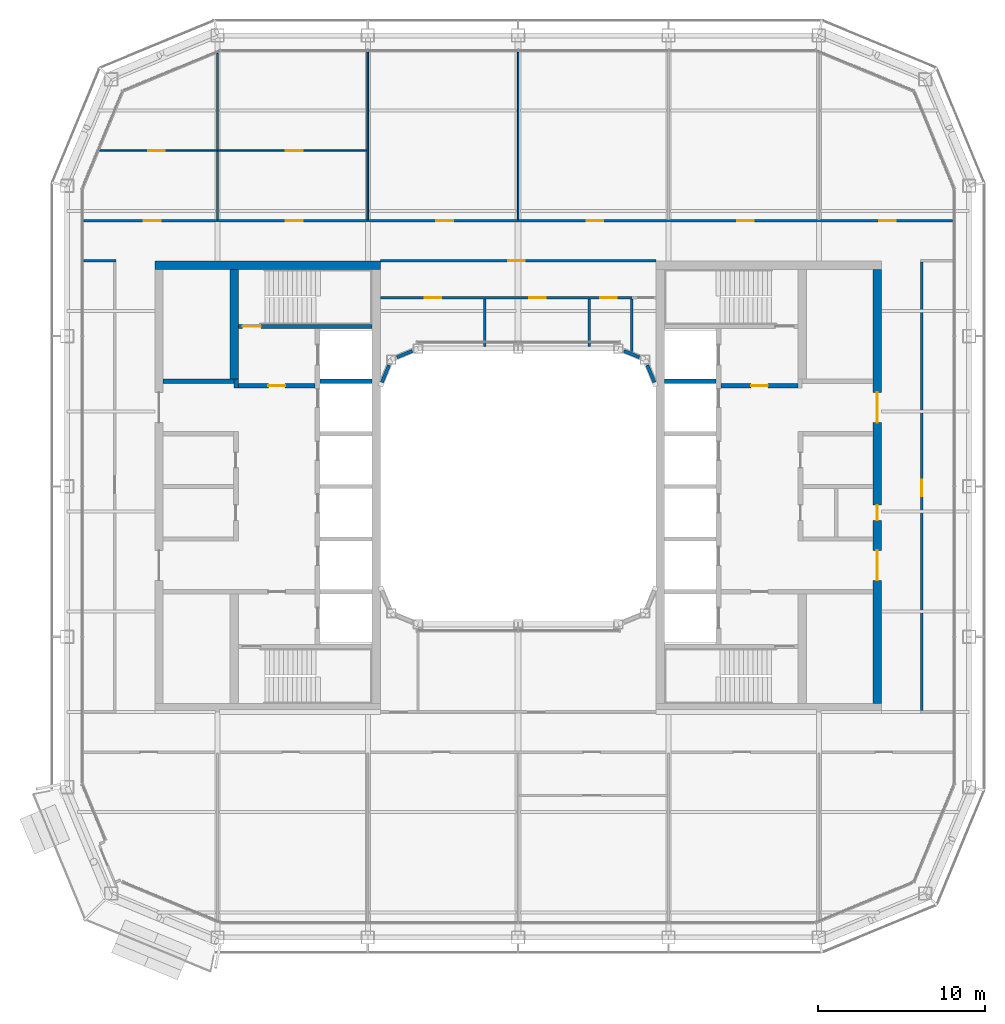
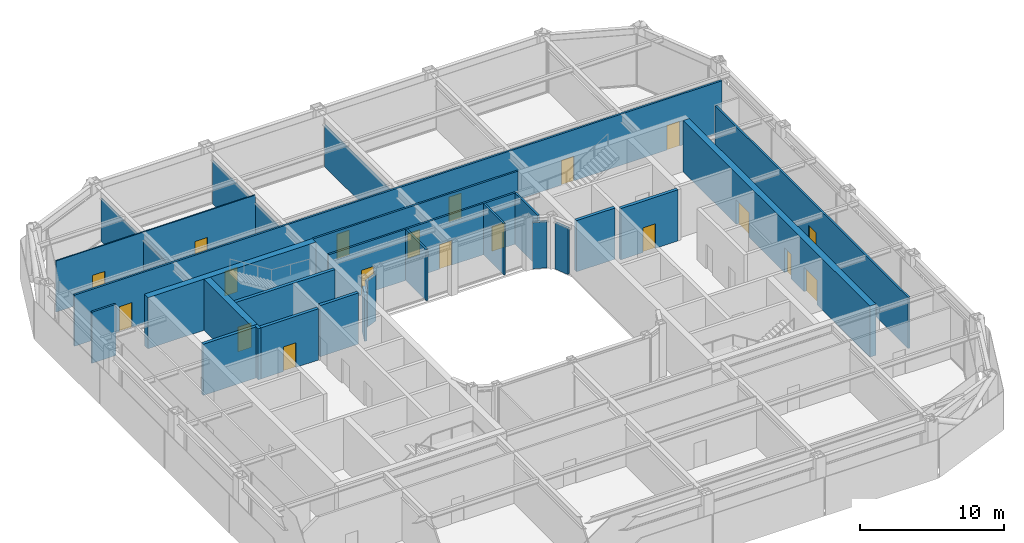
# One storey, part 15 of 23: 27 walls, 19 doors, 19 openings.
"""IFC4 building model written with IfcOpenShell, lengths in metres."""

from ifc_helpers import new_model, si_unit, direction, frame, frame_2d, origin, place, context, subcontext, project, spatial, rectangle, extrude, material, layer, layer_set, type_object, element, fill, save


model = new_model("IFC4")

# Units and contexts
model_context = context("Model", 3, precision=1e-05, world=origin(), true_north=direction((0.0, 1.0)))
body_context = subcontext(model_context, "Body", "Model", "MODEL_VIEW")
ifc_project = project(units=[si_unit("LENGTHUNIT", "METRE"), si_unit("AREAUNIT", "SQUARE_METRE"), si_unit("VOLUMEUNIT", "CUBIC_METRE"), si_unit("PLANEANGLEUNIT", "RADIAN"), si_unit("MASSUNIT", "GRAM", prefix="KILO")], contexts=[model_context])

# Site, building, storey
site_placement = place(None, origin())
site = spatial("IfcSite", under=ifc_project, at=site_placement, CompositionType="ELEMENT")
building_placement = place(site_placement, origin())
building = spatial("IfcBuilding", under=site, at=building_placement, Name="Siwar Civic Tower", CompositionType="ELEMENT")
storey_placement = place(building_placement, frame((0.0, 0.0, 251.199951171875)))
storey = spatial("IfcBuildingStorey", under=building, at=storey_placement, Name="L54", CompositionType="ELEMENT", Elevation=251.199951171875)

# Wall
ifc_material_1 = material(Name="Gypsum board on steel studs", Category="steel")
ifc_layer_1 = layer(ifc_material_1, 0.14990234375)
ifc_layer_set_1 = layer_set([ifc_layer_1], Name="Gypsum board on steel studs")
wall_type_1 = type_object("IfcWallType", Name="COMPARTMENT PARTITION 150 EI 60", PredefinedType="PARTITIONING", material=ifc_layer_set_1)
wall_1_placement = place(storey_placement, frame((6.800048828125, 8.069091796875, 0.0), z_axis=(0.0, 0.0, 1.0), x_axis=(0.0, 1.0, 0.0)))
element("IfcWall", 1, at=wall_1_placement, inside=storey, type_object=wall_type_1, Name="L54/wall/P24", PredefinedType="PARTITIONING", context=body_context, shape_type="SweptSolid", body=[
    extrude(rectangle(XDim=3.156005859375, YDim=0.14990234375, at=frame_2d((1.578125, 0.0))), origin(), (0.0, 0.0, 1.0), 4.35009765625),
])

# Wall, opening, door
ifc_material_2 = material(Name="Concrete C60/75", Category="concrete")
ifc_layer_2 = layer(ifc_material_2, 0.25)
ifc_layer_set_2 = layer_set([ifc_layer_2], Name="Concrete C60/75")
wall_type_2 = type_object("IfcWallType", Name="CORE-WALL-RC250", PredefinedType="SHEAR", material=ifc_layer_set_2)
wall_2_placement = place(storey_placement, frame((-12.14990234375, 6.02490234375, 0.0), z_axis=(0.0, 0.0, 1.0), x_axis=(-1.0, 0.0, 0.0)))
wall_2 = element("IfcWall", 2, at=wall_2_placement, inside=storey, type_object=wall_type_2, Name="Core wall W", PredefinedType="SHEAR", context=body_context, shape_type="SweptSolid", body=[
    extrude(rectangle(XDim=4.60009765625, YDim=0.25, at=frame_2d((2.300048828125, 0.0))), origin(), (0.0, 0.0, 1.0), 4.35009765625),
])
opening_1_placement = place(wall_2_placement, frame((1.800048828125, 0.0, 0.0)))
opening_1 = element("IfcOpeningElement", 3, at=opening_1_placement, cuts=wall_2, Name="Opening L54-CW01", PredefinedType="OPENING", context=body_context, shape_type="SweptSolid", body=[
    extrude(rectangle(XDim=1.0, YDim=2.10009765625, at=frame_2d((0.5, 1.050048828125))), frame((0.0, 0.135009765625, 0.0), z_axis=(0.0, -1.0, 0.0), x_axis=(1.0, 0.0, 0.0)), (0.0, 0.0, 1.0), 0.27001953125),
])
ifc_material_3 = material(Name="Steel door leaf", Category="steel")
door_type_1 = type_object("IfcDoorType", Name="CORE-DOOR-FD30S", OperationType="SINGLE_SWING_LEFT", PredefinedType="DOOR", material=ifc_material_3)
door_1_placement = place(opening_1_placement, origin())
door_1 = element("IfcDoor", 4, at=door_1_placement, inside=storey, type_object=door_type_1, Name="Firefighting lobby door L54-CW01", OperationType="SINGLE_SWING_LEFT", OverallHeight=2.10009765625, OverallWidth=1.0, PredefinedType="DOOR", context=body_context, shape_type="SweptSolid", body=[
    extrude(rectangle(XDim=1.0, YDim=2.10009765625, at=frame_2d((0.5, 1.050048828125))), frame((0.0, 0.02490234375, 0.0), z_axis=(0.0, -1.0, 0.0), x_axis=(1.0, 0.0, 0.0)), (0.0, 0.0, 1.0), 0.050048828125),
])
fill(opening_1, door_1)

# Walls
wall_3_placement = place(storey_placement, frame((-16.875, 5.89990234375, 0.0), z_axis=(0.0, 0.0, 1.0), x_axis=(0.0, 1.0, 0.0)))
element("IfcWall", 5, at=wall_3_placement, inside=storey, type_object=wall_type_2, Name="Core wall W", PredefinedType="SHEAR", context=body_context, shape_type="SweptSolid", body=[
    extrude(rectangle(XDim=0.525146484375, YDim=0.25, at=frame_2d((0.2626953125, 0.0))), origin(), (0.0, 0.0, 1.0), 4.35009765625),
])
wall_4_placement = place(storey_placement, frame((-17.0, 6.300048828125, 0.0), z_axis=(0.0, 0.0, 1.0), x_axis=(-1.0, 0.0, 0.0)))
element("IfcWall", 6, at=wall_4_placement, inside=storey, type_object=wall_type_2, Name="Core wall W", PredefinedType="SHEAR", context=body_context, shape_type="SweptSolid", body=[
    extrude(rectangle(XDim=4.25, YDim=0.25, at=frame_2d((2.125, 0.0))), origin(), (0.0, 0.0, 1.0), 4.35009765625),
])
wall_5_placement = place(storey_placement, frame((-8.75, 6.300048828125, 0.0), z_axis=(0.0, 0.0, 1.0), x_axis=(-1.0, 0.0, 0.0)))
element("IfcWall", 7, at=wall_5_placement, inside=storey, type_object=wall_type_2, Name="Core wall W", PredefinedType="SHEAR", context=body_context, shape_type="SweptSolid", body=[
    extrude(rectangle(XDim=3.10009765625, YDim=0.25, at=frame_2d((1.550048828125, 0.0))), origin(), (0.0, 0.0, 1.0), 4.35009765625),
])

# Wall, opening, door
wall_6_placement = place(storey_placement, frame((-8.75, 9.574951171875, 0.0), z_axis=(0.0, 0.0, 1.0), x_axis=(-1.0, 0.0, 0.0)))
wall_6 = element("IfcWall", 8, at=wall_6_placement, inside=storey, type_object=wall_type_2, Name="Core wall W", PredefinedType="SHEAR", context=body_context, shape_type="SweptSolid", body=[
    extrude(rectangle(XDim=8.0, YDim=0.25, at=frame_2d((4.0, 0.0))), origin(), (0.0, 0.0, 1.0), 4.35009765625),
])
opening_2_placement = place(wall_6_placement, frame((6.64990234375, 0.0, 0.0)))
opening_2 = element("IfcOpeningElement", 9, at=opening_2_placement, cuts=wall_6, Name="Opening L54-CW03", PredefinedType="OPENING", context=body_context, shape_type="SweptSolid", body=[
    extrude(rectangle(XDim=1.10009765625, YDim=2.10009765625, at=frame_2d((0.550048828125, 1.050048828125))), frame((0.0, 0.135009765625, 0.0), z_axis=(0.0, -1.0, 0.0), x_axis=(1.0, 0.0, 0.0)), (0.0, 0.0, 1.0), 0.27001953125),
])
ifc_material_4 = material(Name="Steel door leaf", Category="steel")
door_type_2 = type_object("IfcDoorType", Name="CORE-DOOR-FD60S", OperationType="SINGLE_SWING_LEFT", PredefinedType="DOOR", material=ifc_material_4)
door_2_placement = place(opening_2_placement, origin())
door_2 = element("IfcDoor", 10, at=door_2_placement, inside=storey, type_object=door_type_2, Name="Stair door L54-CW03", OperationType="SINGLE_SWING_RIGHT", OverallHeight=2.10009765625, OverallWidth=1.10009765625, PredefinedType="DOOR", context=body_context, shape_type="SweptSolid", body=[
    extrude(rectangle(XDim=1.10009765625, YDim=2.10009765625, at=frame_2d((0.550048828125, 1.050048828125))), frame((0.0, 0.02490234375, 0.0), z_axis=(0.0, -1.0, 0.0), x_axis=(1.0, 0.0, 0.0)), (0.0, 0.0, 1.0), 0.050048828125),
])
fill(opening_2, door_2)

wall_7_placement = place(storey_placement, frame((12.14990234375, 6.02490234375, 0.0), z_axis=(0.0, 0.0, 1.0), x_axis=(1.0, 0.0, 0.0)))
wall_7 = element("IfcWall", 11, at=wall_7_placement, inside=storey, type_object=wall_type_2, Name="Core wall E", PredefinedType="SHEAR", context=body_context, shape_type="SweptSolid", body=[
    extrude(rectangle(XDim=4.60009765625, YDim=0.25, at=frame_2d((2.300048828125, 0.0))), origin(), (0.0, 0.0, 1.0), 4.35009765625),
])
opening_3_placement = place(wall_7_placement, frame((1.800048828125, 0.0, 0.0)))
opening_3 = element("IfcOpeningElement", 12, at=opening_3_placement, cuts=wall_7, Name="Opening L54-CE01", PredefinedType="OPENING", context=body_context, shape_type="SweptSolid", body=[
    extrude(rectangle(XDim=1.0, YDim=2.10009765625, at=frame_2d((0.5, 1.050048828125))), frame((0.0, 0.135009765625, 0.0), z_axis=(0.0, -1.0, 0.0), x_axis=(1.0, 0.0, 0.0)), (0.0, 0.0, 1.0), 0.27001953125),
])
door_3_placement = place(opening_3_placement, origin())
door_3 = element("IfcDoor", 13, at=door_3_placement, inside=storey, type_object=door_type_1, Name="Firefighting lobby door L54-CE01", OperationType="SINGLE_SWING_RIGHT", OverallHeight=2.10009765625, OverallWidth=1.0, PredefinedType="DOOR", context=body_context, shape_type="SweptSolid", body=[
    extrude(rectangle(XDim=1.0, YDim=2.10009765625, at=frame_2d((0.5, 1.050048828125))), frame((0.0, 0.02490234375, 0.0), z_axis=(0.0, -1.0, 0.0), x_axis=(1.0, 0.0, 0.0)), (0.0, 0.0, 1.0), 0.050048828125),
])
fill(opening_3, door_3)

# Walls
wall_8_placement = place(storey_placement, frame((8.75, 6.300048828125, 0.0), z_axis=(0.0, 0.0, 1.0), x_axis=(1.0, 0.0, 0.0)))
element("IfcWall", 14, at=wall_8_placement, inside=storey, type_object=wall_type_2, Name="Core wall E", PredefinedType="SHEAR", context=body_context, shape_type="SweptSolid", body=[
    extrude(rectangle(XDim=3.10009765625, YDim=0.25, at=frame_2d((1.550048828125, 0.0))), origin(), (0.0, 0.0, 1.0), 4.35009765625),
])
ifc_material_5 = material(Name="Concrete C60/75", Category="concrete")
ifc_layer_3 = layer(ifc_material_5, 0.5)
ifc_layer_set_3 = layer_set([ifc_layer_3], Name="Concrete C60/75")
wall_type_3 = type_object("IfcWallType", Name="CORE-WALL-RC500", PredefinedType="SHEAR", material=ifc_layer_set_3)
wall_9_placement = place(storey_placement, frame((-17.0, 6.425048828125, 0.0), z_axis=(0.0, 0.0, 1.0), x_axis=(0.0, 1.0, 0.0)))
element("IfcWall", 15, at=wall_9_placement, inside=storey, type_object=wall_type_3, Name="Core wall W", PredefinedType="SHEAR", context=body_context, shape_type="SweptSolid", body=[
    extrude(rectangle(XDim=6.574951171875, YDim=0.5, at=frame_2d((3.28759765625, 0.0))), origin(), (0.0, 0.0, 1.0), 4.35009765625),
])
wall_10_placement = place(storey_placement, frame((-8.25, 13.25, 0.0), z_axis=(0.0, 0.0, 1.0), x_axis=(-1.0, 0.0, 0.0)))
element("IfcWall", 16, at=wall_10_placement, inside=storey, type_object=wall_type_3, Name="Core wall W", PredefinedType="SHEAR", context=body_context, shape_type="SweptSolid", body=[
    extrude(rectangle(XDim=13.5, YDim=0.5, at=frame_2d((6.75, 0.0))), origin(), (0.0, 0.0, 1.0), 4.35009765625),
])

# Wall, openings, doors
wall_11_placement = place(storey_placement, frame((21.5, -13.0, 0.0), z_axis=(0.0, 0.0, 1.0), x_axis=(0.0, 1.0, 0.0)))
wall_11 = element("IfcWall", 17, at=wall_11_placement, inside=storey, type_object=wall_type_3, Name="Core wall E", PredefinedType="SHEAR", context=body_context, shape_type="SweptSolid", body=[
    extrude(rectangle(XDim=26.0, YDim=0.5, at=frame_2d((13.0, 0.0))), origin(), (0.0, 0.0, 1.0), 4.35009765625),
])
opening_4_placement = place(wall_11_placement, frame((16.824951171875, 0.0, 0.0)))
opening_4 = element("IfcOpeningElement", 18, at=opening_4_placement, cuts=wall_11, Name="Opening L54-CE05", PredefinedType="OPENING", context=body_context, shape_type="SweptSolid", body=[
    extrude(rectangle(XDim=1.800048828125, YDim=2.10009765625, at=frame_2d((0.89990234375, 1.050048828125))), frame((0.0, 0.260009765625, 0.0), z_axis=(0.0, -1.0, 0.0), x_axis=(1.0, 0.0, 0.0)), (0.0, 0.0, 1.0), 0.52001953125),
])
opening_5_placement = place(wall_11_placement, frame((7.375, 0.0, 0.0)))
opening_5 = element("IfcOpeningElement", 19, at=opening_5_placement, cuts=wall_11, Name="Opening L54-CE06", PredefinedType="OPENING", context=body_context, shape_type="SweptSolid", body=[
    extrude(rectangle(XDim=1.800048828125, YDim=2.10009765625, at=frame_2d((0.89990234375, 1.050048828125))), frame((0.0, 0.260009765625, 0.0), z_axis=(0.0, -1.0, 0.0), x_axis=(1.0, 0.0, 0.0)), (0.0, 0.0, 1.0), 0.52001953125),
])
opening_6_placement = place(wall_11_placement, frame((10.97509765625, 0.0, 0.0)))
opening_6 = element("IfcOpeningElement", 20, at=opening_6_placement, cuts=wall_11, Name="Opening L54-CE14", PredefinedType="OPENING", context=body_context, shape_type="SweptSolid", body=[
    extrude(rectangle(XDim=0.89990234375, YDim=2.10009765625, at=frame_2d((0.449951171875, 1.050048828125))), frame((0.0, 0.260009765625, 0.0), z_axis=(0.0, -1.0, 0.0), x_axis=(1.0, 0.0, 0.0)), (0.0, 0.0, 1.0), 0.52001953125),
])
ifc_material_6 = material(Name="Steel door leaf", Category="steel")
door_type_3 = type_object("IfcDoorType", Name="CORE-DOOR-PORT", OperationType="DOUBLE_DOOR_DOUBLE_SWING", PredefinedType="DOOR", material=ifc_material_6)
door_4_placement = place(opening_4_placement, origin())
door_4 = element("IfcDoor", 21, at=door_4_placement, inside=storey, type_object=door_type_3, Name="Core entrance door L54-CE05", OperationType="DOUBLE_DOOR_DOUBLE_SWING", OverallHeight=2.10009765625, OverallWidth=1.800048828125, PredefinedType="DOOR", context=body_context, shape_type="SweptSolid", body=[
    extrude(rectangle(XDim=1.800048828125, YDim=2.10009765625, at=frame_2d((0.89990234375, 1.050048828125))), frame((0.0, 0.02490234375, 0.0), z_axis=(0.0, -1.0, 0.0), x_axis=(1.0, 0.0, 0.0)), (0.0, 0.0, 1.0), 0.050048828125),
])
fill(opening_4, door_4)
door_5_placement = place(opening_5_placement, origin())
door_5 = element("IfcDoor", 22, at=door_5_placement, inside=storey, type_object=door_type_3, Name="Core entrance door L54-CE06", OperationType="DOUBLE_DOOR_DOUBLE_SWING", OverallHeight=2.10009765625, OverallWidth=1.800048828125, PredefinedType="DOOR", context=body_context, shape_type="SweptSolid", body=[
    extrude(rectangle(XDim=1.800048828125, YDim=2.10009765625, at=frame_2d((0.89990234375, 1.050048828125))), frame((0.0, 0.02490234375, 0.0), z_axis=(0.0, -1.0, 0.0), x_axis=(1.0, 0.0, 0.0)), (0.0, 0.0, 1.0), 0.050048828125),
])
fill(opening_5, door_5)
ifc_material_7 = material(Name="Steel door leaf", Category="steel")
door_type_4 = type_object("IfcDoorType", Name="CORE-DOOR-ROOM", OperationType="SINGLE_SWING_LEFT", PredefinedType="DOOR", material=ifc_material_7)
door_6_placement = place(opening_6_placement, origin())
door_6 = element("IfcDoor", 23, at=door_6_placement, inside=storey, type_object=door_type_4, Name="Core room door L54-CE14", OperationType="SINGLE_SWING_LEFT", OverallHeight=2.10009765625, OverallWidth=0.89990234375, PredefinedType="DOOR", context=body_context, shape_type="SweptSolid", body=[
    extrude(rectangle(XDim=0.89990234375, YDim=2.10009765625, at=frame_2d((0.449951171875, 1.050048828125))), frame((0.0, 0.02490234375, 0.0), z_axis=(0.0, -1.0, 0.0), x_axis=(1.0, 0.0, 0.0)), (0.0, 0.0, 1.0), 0.050048828125),
])
fill(opening_6, door_6)

ifc_material_8 = material(Name="Gypsum board on steel studs", Category="steel")
ifc_layer_4 = layer(ifc_material_8, 0.14990234375)
ifc_layer_set_4 = layer_set([ifc_layer_4], Name="Gypsum board on steel studs")
wall_type_4 = type_object("IfcWallType", Name="CORRIDOR PARTITION 150 EI 30", PredefinedType="PARTITIONING", material=ifc_layer_set_4)
wall_12_placement = place(storey_placement, frame((-8.25, 11.300048828125, 0.0), z_axis=(0.0, 0.0, 1.0), x_axis=(1.0, 0.0, 0.0)))
wall_12 = element("IfcWall", 24, at=wall_12_placement, inside=storey, type_object=wall_type_4, Name="L54/wall/P06", PredefinedType="PARTITIONING", context=body_context, shape_type="SweptSolid", body=[
    extrude(rectangle(XDim=15.050048828125, YDim=0.14990234375, at=frame_2d((7.52490234375, 0.0))), origin(), (0.0, 0.0, 1.0), 4.35009765625),
])
opening_7_placement = place(wall_12_placement, frame((2.64990234375, 0.0, 0.0)))
opening_7 = element("IfcOpeningElement", 25, at=opening_7_placement, cuts=wall_12, Name="Opening D3", PredefinedType="OPENING", context=body_context, shape_type="SweptSolid", body=[
    extrude(rectangle(XDim=1.0, YDim=2.10009765625, at=frame_2d((0.5, 1.050048828125))), frame((0.0, 0.0849609375, 0.0), z_axis=(0.0, -1.0, 0.0), x_axis=(1.0, 0.0, 0.0)), (0.0, 0.0, 1.0), 0.169921875),
])
opening_8_placement = place(wall_12_placement, frame((8.89990234375, 0.0, 0.0)))
opening_8 = element("IfcOpeningElement", 26, at=opening_8_placement, cuts=wall_12, Name="Opening D3", PredefinedType="OPENING", context=body_context, shape_type="SweptSolid", body=[
    extrude(rectangle(XDim=1.0, YDim=2.10009765625, at=frame_2d((0.5, 1.050048828125))), frame((0.0, 0.0849609375, 0.0), z_axis=(0.0, -1.0, 0.0), x_axis=(1.0, 0.0, 0.0)), (0.0, 0.0, 1.0), 0.169921875),
])
opening_9_placement = place(wall_12_placement, frame((13.14990234375, 0.0, 0.0)))
opening_9 = element("IfcOpeningElement", 27, at=opening_9_placement, cuts=wall_12, Name="Opening D3", PredefinedType="OPENING", context=body_context, shape_type="SweptSolid", body=[
    extrude(rectangle(XDim=1.0, YDim=2.10009765625, at=frame_2d((0.5, 1.050048828125))), frame((0.0, 0.0849609375, 0.0), z_axis=(0.0, -1.0, 0.0), x_axis=(1.0, 0.0, 0.0)), (0.0, 0.0, 1.0), 0.169921875),
])
ifc_material_9 = material(Name="Timber, painted", Category="wood")
door_type_5 = type_object("IfcDoorType", Name="DOOR 1000 X 2100 WC", OperationType="SINGLE_SWING_LEFT", PredefinedType="DOOR", material=ifc_material_9)
door_7_placement = place(opening_7_placement, origin())
door_7 = element("IfcDoor", 28, at=door_7_placement, inside=storey, type_object=door_type_5, Name="L54-D19", OperationType="SINGLE_SWING_LEFT", OverallHeight=2.10009765625, OverallWidth=1.0, PredefinedType="DOOR", context=body_context, shape_type="SweptSolid", body=[
    extrude(rectangle(XDim=1.0, YDim=2.10009765625, at=frame_2d((0.5, 1.050048828125))), frame((0.0, 0.02490234375, 0.0), z_axis=(0.0, -1.0, 0.0), x_axis=(1.0, 0.0, 0.0)), (0.0, 0.0, 1.0), 0.050048828125),
])
fill(opening_7, door_7)
door_8_placement = place(opening_8_placement, origin())
door_8 = element("IfcDoor", 29, at=door_8_placement, inside=storey, type_object=door_type_5, Name="L54-D20", OperationType="SINGLE_SWING_RIGHT", OverallHeight=2.10009765625, OverallWidth=1.0, PredefinedType="DOOR", context=body_context, shape_type="SweptSolid", body=[
    extrude(rectangle(XDim=1.0, YDim=2.10009765625, at=frame_2d((0.5, 1.050048828125))), frame((0.0, 0.02490234375, 0.0), z_axis=(0.0, -1.0, 0.0), x_axis=(1.0, 0.0, 0.0)), (0.0, 0.0, 1.0), 0.050048828125),
])
fill(opening_8, door_8)
door_9_placement = place(opening_9_placement, origin())
door_9 = element("IfcDoor", 30, at=door_9_placement, inside=storey, type_object=door_type_5, Name="L54-D21", OperationType="SINGLE_SWING_LEFT", OverallHeight=2.10009765625, OverallWidth=1.0, PredefinedType="DOOR", context=body_context, shape_type="SweptSolid", body=[
    extrude(rectangle(XDim=1.0, YDim=2.10009765625, at=frame_2d((0.5, 1.050048828125))), frame((0.0, 0.02490234375, 0.0), z_axis=(0.0, -1.0, 0.0), x_axis=(1.0, 0.0, 0.0)), (0.0, 0.0, 1.0), 0.050048828125),
])
fill(opening_9, door_9)

# Wall
wall_13_placement = place(storey_placement, frame((-26.010009765625, 13.5, 0.0), z_axis=(0.0, 0.0, 1.0), x_axis=(1.0, 0.0, 0.0)))
element("IfcWall", 31, at=wall_13_placement, inside=storey, type_object=wall_type_4, Name="L54/wall/P08", PredefinedType="PARTITIONING", context=body_context, shape_type="SweptSolid", body=[
    extrude(rectangle(XDim=1.93505859375, YDim=0.14990234375, at=frame_2d((0.967529296875, 0.0))), origin(), (0.0, 0.0, 1.0), 4.35009765625),
])

# Wall, opening, door
wall_14_placement = place(storey_placement, frame((-8.25, 13.5, 0.0), z_axis=(0.0, 0.0, 1.0), x_axis=(1.0, 0.0, 0.0)))
wall_14 = element("IfcWall", 32, at=wall_14_placement, inside=storey, type_object=wall_type_4, Name="L54/wall/P09", PredefinedType="PARTITIONING", context=body_context, shape_type="SweptSolid", body=[
    extrude(rectangle(XDim=16.5, YDim=0.14990234375, at=frame_2d((8.25, 0.0))), origin(), (0.0, 0.0, 1.0), 4.35009765625),
])
opening_10_placement = place(wall_14_placement, frame((7.64990234375, 0.0, 0.0)))
opening_10 = element("IfcOpeningElement", 33, at=opening_10_placement, cuts=wall_14, Name="Opening D1", PredefinedType="OPENING", context=body_context, shape_type="SweptSolid", body=[
    extrude(rectangle(XDim=1.0, YDim=2.10009765625, at=frame_2d((0.5, 1.050048828125))), frame((0.0, 0.0849609375, 0.0), z_axis=(0.0, -1.0, 0.0), x_axis=(1.0, 0.0, 0.0)), (0.0, 0.0, 1.0), 0.169921875),
])
ifc_material_10 = material(Name="Timber, painted", Category="wood")
door_type_6 = type_object("IfcDoorType", Name="DOOR 1000 X 2100 FD30", OperationType="SINGLE_SWING_LEFT", PredefinedType="DOOR", material=ifc_material_10)
door_10_placement = place(opening_10_placement, origin())
door_10 = element("IfcDoor", 34, at=door_10_placement, inside=storey, type_object=door_type_6, Name="L54-D18", OperationType="SINGLE_SWING_RIGHT", OverallHeight=2.10009765625, OverallWidth=1.0, PredefinedType="DOOR", context=body_context, shape_type="SweptSolid", body=[
    extrude(rectangle(XDim=1.0, YDim=2.10009765625, at=frame_2d((0.5, 1.050048828125))), frame((0.0, 0.02490234375, 0.0), z_axis=(0.0, -1.0, 0.0), x_axis=(1.0, 0.0, 0.0)), (0.0, 0.0, 1.0), 0.050048828125),
])
fill(opening_10, door_10)

# Wall, openings, doors
wall_15_placement = place(storey_placement, frame((-26.010009765625, 15.89990234375, 0.0), z_axis=(0.0, 0.0, 1.0), x_axis=(1.0, 0.0, 0.0)))
wall_15 = element("IfcWall", 35, at=wall_15_placement, inside=storey, type_object=wall_type_4, Name="L54/wall/P11", PredefinedType="PARTITIONING", context=body_context, shape_type="SweptSolid", body=[
    extrude(rectangle(XDim=52.02001953125, YDim=0.14990234375, at=frame_2d((26.010009765625, 0.0))), origin(), (0.0, 0.0, 1.0), 4.35009765625),
])
opening_11_placement = place(wall_15_placement, frame((12.110107421875, 0.0, 0.0)))
opening_11 = element("IfcOpeningElement", 36, at=opening_11_placement, cuts=wall_15, Name="Opening D1", PredefinedType="OPENING", context=body_context, shape_type="SweptSolid", body=[
    extrude(rectangle(XDim=1.0, YDim=2.10009765625, at=frame_2d((0.5, 1.050048828125))), frame((0.0, 0.0849609375, 0.0), z_axis=(0.0, -1.0, 0.0), x_axis=(1.0, 0.0, 0.0)), (0.0, 0.0, 1.0), 0.169921875),
])
opening_12_placement = place(wall_15_placement, frame((21.110107421875, 0.0, 0.0)))
opening_12 = element("IfcOpeningElement", 37, at=opening_12_placement, cuts=wall_15, Name="Opening D1", PredefinedType="OPENING", context=body_context, shape_type="SweptSolid", body=[
    extrude(rectangle(XDim=1.0, YDim=2.10009765625, at=frame_2d((0.5, 1.050048828125))), frame((0.0, 0.0849609375, 0.0), z_axis=(0.0, -1.0, 0.0), x_axis=(1.0, 0.0, 0.0)), (0.0, 0.0, 1.0), 0.169921875),
])
opening_13_placement = place(wall_15_placement, frame((30.110107421875, 0.0, 0.0)))
opening_13 = element("IfcOpeningElement", 38, at=opening_13_placement, cuts=wall_15, Name="Opening D1", PredefinedType="OPENING", context=body_context, shape_type="SweptSolid", body=[
    extrude(rectangle(XDim=1.0, YDim=2.10009765625, at=frame_2d((0.5, 1.050048828125))), frame((0.0, 0.0849609375, 0.0), z_axis=(0.0, -1.0, 0.0), x_axis=(1.0, 0.0, 0.0)), (0.0, 0.0, 1.0), 0.169921875),
])
opening_14_placement = place(wall_15_placement, frame((39.110107421875, 0.0, 0.0)))
opening_14 = element("IfcOpeningElement", 39, at=opening_14_placement, cuts=wall_15, Name="Opening D1", PredefinedType="OPENING", context=body_context, shape_type="SweptSolid", body=[
    extrude(rectangle(XDim=1.0, YDim=2.10009765625, at=frame_2d((0.5, 1.050048828125))), frame((0.0, 0.0849609375, 0.0), z_axis=(0.0, -1.0, 0.0), x_axis=(1.0, 0.0, 0.0)), (0.0, 0.0, 1.0), 0.169921875),
])
opening_15_placement = place(wall_15_placement, frame((3.610107421875, 0.0, 0.0)))
opening_15 = element("IfcOpeningElement", 40, at=opening_15_placement, cuts=wall_15, Name="Opening D1", PredefinedType="OPENING", context=body_context, shape_type="SweptSolid", body=[
    extrude(rectangle(XDim=1.0, YDim=2.10009765625, at=frame_2d((0.5, 1.050048828125))), frame((0.0, 0.0849609375, 0.0), z_axis=(0.0, -1.0, 0.0), x_axis=(1.0, 0.0, 0.0)), (0.0, 0.0, 1.0), 0.169921875),
])
opening_16_placement = place(wall_15_placement, frame((47.6201171875, 0.0, 0.0)))
opening_16 = element("IfcOpeningElement", 41, at=opening_16_placement, cuts=wall_15, Name="Opening D1", PredefinedType="OPENING", context=body_context, shape_type="SweptSolid", body=[
    extrude(rectangle(XDim=1.0, YDim=2.10009765625, at=frame_2d((0.5, 1.050048828125))), frame((0.0, 0.0849609375, 0.0), z_axis=(0.0, -1.0, 0.0), x_axis=(1.0, 0.0, 0.0)), (0.0, 0.0, 1.0), 0.169921875),
])
door_11_placement = place(opening_11_placement, origin())
door_11 = element("IfcDoor", 42, at=door_11_placement, inside=storey, type_object=door_type_6, Name="L54-D01", OperationType="SINGLE_SWING_LEFT", OverallHeight=2.10009765625, OverallWidth=1.0, PredefinedType="DOOR", context=body_context, shape_type="SweptSolid", body=[
    extrude(rectangle(XDim=1.0, YDim=2.10009765625, at=frame_2d((0.5, 1.050048828125))), frame((0.0, 0.02490234375, 0.0), z_axis=(0.0, -1.0, 0.0), x_axis=(1.0, 0.0, 0.0)), (0.0, 0.0, 1.0), 0.050048828125),
])
fill(opening_11, door_11)
door_12_placement = place(opening_12_placement, origin())
door_12 = element("IfcDoor", 43, at=door_12_placement, inside=storey, type_object=door_type_6, Name="L54-D03", OperationType="SINGLE_SWING_LEFT", OverallHeight=2.10009765625, OverallWidth=1.0, PredefinedType="DOOR", context=body_context, shape_type="SweptSolid", body=[
    extrude(rectangle(XDim=1.0, YDim=2.10009765625, at=frame_2d((0.5, 1.050048828125))), frame((0.0, 0.02490234375, 0.0), z_axis=(0.0, -1.0, 0.0), x_axis=(1.0, 0.0, 0.0)), (0.0, 0.0, 1.0), 0.050048828125),
])
fill(opening_12, door_12)
door_13_placement = place(opening_13_placement, origin())
door_13 = element("IfcDoor", 44, at=door_13_placement, inside=storey, type_object=door_type_6, Name="L54-D04", OperationType="SINGLE_SWING_RIGHT", OverallHeight=2.10009765625, OverallWidth=1.0, PredefinedType="DOOR", context=body_context, shape_type="SweptSolid", body=[
    extrude(rectangle(XDim=1.0, YDim=2.10009765625, at=frame_2d((0.5, 1.050048828125))), frame((0.0, 0.02490234375, 0.0), z_axis=(0.0, -1.0, 0.0), x_axis=(1.0, 0.0, 0.0)), (0.0, 0.0, 1.0), 0.050048828125),
])
fill(opening_13, door_13)
door_14_placement = place(opening_14_placement, origin())
door_14 = element("IfcDoor", 45, at=door_14_placement, inside=storey, type_object=door_type_6, Name="L54-D05", OperationType="SINGLE_SWING_LEFT", OverallHeight=2.10009765625, OverallWidth=1.0, PredefinedType="DOOR", context=body_context, shape_type="SweptSolid", body=[
    extrude(rectangle(XDim=1.0, YDim=2.10009765625, at=frame_2d((0.5, 1.050048828125))), frame((0.0, 0.02490234375, 0.0), z_axis=(0.0, -1.0, 0.0), x_axis=(1.0, 0.0, 0.0)), (0.0, 0.0, 1.0), 0.050048828125),
])
fill(opening_14, door_14)
door_15_placement = place(opening_15_placement, origin())
door_15 = element("IfcDoor", 46, at=door_15_placement, inside=storey, type_object=door_type_6, Name="L54-D11", OperationType="SINGLE_SWING_LEFT", OverallHeight=2.10009765625, OverallWidth=1.0, PredefinedType="DOOR", context=body_context, shape_type="SweptSolid", body=[
    extrude(rectangle(XDim=1.0, YDim=2.10009765625, at=frame_2d((0.5, 1.050048828125))), frame((0.0, 0.02490234375, 0.0), z_axis=(0.0, -1.0, 0.0), x_axis=(1.0, 0.0, 0.0)), (0.0, 0.0, 1.0), 0.050048828125),
])
fill(opening_15, door_15)
door_16_placement = place(opening_16_placement, origin())
door_16 = element("IfcDoor", 47, at=door_16_placement, inside=storey, type_object=door_type_6, Name="L54-D13", OperationType="SINGLE_SWING_LEFT", OverallHeight=2.10009765625, OverallWidth=1.0, PredefinedType="DOOR", context=body_context, shape_type="SweptSolid", body=[
    extrude(rectangle(XDim=1.0, YDim=2.10009765625, at=frame_2d((0.5, 1.050048828125))), frame((0.0, 0.02490234375, 0.0), z_axis=(0.0, -1.0, 0.0), x_axis=(1.0, 0.0, 0.0)), (0.0, 0.0, 1.0), 0.050048828125),
])
fill(opening_16, door_16)

# Walls
for number, where, z_axis, x_axis, name in (
    (48, (-2.0, 8.3701171875, 0.0), (0.0, 0.0, 1.0), (0.0, 1.0, 0.0), "L54/wall/P20"),
    (49, (4.25, 8.3701171875, 0.0), (0.0, 0.0, 1.0), (0.0, 1.0, 0.0), "L54/wall/P23"),
):
    element("IfcWall", number, at=place(storey_placement, frame(where, z_axis=z_axis, x_axis=x_axis)), inside=storey, type_object=wall_type_4, Name=name, PredefinedType="PARTITIONING", context=body_context, shape_type="SweptSolid", body=[
        extrude(rectangle(XDim=2.85498046875, YDim=0.14990234375, at=frame_2d((1.427490234375, 0.0))), origin(), (0.0, 0.0, 1.0), 4.35009765625),
    ])

# Wall, opening, door
wall_16_placement = place(storey_placement, frame((24.14990234375, -13.425048828125, 0.0), z_axis=(0.0, 0.0, 1.0), x_axis=(0.0, 1.0, 0.0)))
wall_16 = element("IfcWall", 50, at=wall_16_placement, inside=storey, type_object=wall_type_4, Name="L54/wall/P29", PredefinedType="PARTITIONING", context=body_context, shape_type="SweptSolid", body=[
    extrude(rectangle(XDim=26.85009765625, YDim=0.14990234375, at=frame_2d((13.425048828125, 0.0))), origin(), (0.0, 0.0, 1.0), 4.35009765625),
])
opening_17_placement = place(wall_16_placement, frame((12.824951171875, 0.0, 0.0)))
opening_17 = element("IfcOpeningElement", 51, at=opening_17_placement, cuts=wall_16, Name="Opening D1", PredefinedType="OPENING", context=body_context, shape_type="SweptSolid", body=[
    extrude(rectangle(XDim=1.0, YDim=2.10009765625, at=frame_2d((0.5, 1.050048828125))), frame((0.0, 0.0849609375, 0.0), z_axis=(0.0, -1.0, 0.0), x_axis=(1.0, 0.0, 0.0)), (0.0, 0.0, 1.0), 0.169921875),
])
door_17_placement = place(opening_17_placement, origin())
door_17 = element("IfcDoor", 52, at=door_17_placement, inside=storey, type_object=door_type_6, Name="L54-D17", OperationType="SINGLE_SWING_LEFT", OverallHeight=2.10009765625, OverallWidth=1.0, PredefinedType="DOOR", context=body_context, shape_type="SweptSolid", body=[
    extrude(rectangle(XDim=1.0, YDim=2.10009765625, at=frame_2d((0.5, 1.050048828125))), frame((0.0, 0.02490234375, 0.0), z_axis=(0.0, -1.0, 0.0), x_axis=(1.0, 0.0, 0.0)), (0.0, 0.0, 1.0), 0.050048828125),
])
fill(opening_17, door_17)

# Walls
ifc_material_11 = material(Name="Aluminium clad insulated panel", Category="aluminium")
ifc_layer_5 = layer(ifc_material_11, 0.199951171875)
ifc_layer_set_5 = layer_set([ifc_layer_5], Name="Aluminium clad insulated panel")
wall_type_5 = type_object("IfcWallType", Name="ENV-WALL-WELL", PredefinedType="STANDARD", material=ifc_layer_set_5)
wall_17_placement = place(storey_placement, frame((8.154296875, 6.23095703125, 0.0), z_axis=(0.0, 0.0, 1.0), x_axis=(-0.382635994082, 0.923899180665, 0.0)))
element("IfcWall", 53, at=wall_17_placement, inside=storey, type_object=wall_type_5, Name="Light well corner wall NE1", PredefinedType="STANDARD", context=body_context, shape_type="SweptSolid", body=[
    extrude(rectangle(XDim=1.11279296875, YDim=0.199951171875, at=frame_2d((0.556396484375, 0.0))), origin(), (0.0, 0.0, 1.0), 3.91796875),
])
for number, where, z_axis, x_axis, name in (
    (54, (7.259033203125, 7.728515625, 0.0), (0.0, 0.0, 1.0), (-0.923859650767, 0.382731427616, 0.0), "Light well corner wall NE2"),
    (55, (-6.33203125, 8.112548828125, 0.0), (0.0, 0.0, 1.0), (-0.923859650767, -0.382731427616, 0.0), "Light well corner wall NW1"),
):
    element("IfcWall", number, at=place(storey_placement, frame(where, z_axis=z_axis, x_axis=x_axis)), inside=storey, type_object=wall_type_5, Name=name, PredefinedType="STANDARD", context=body_context, shape_type="SweptSolid", body=[
        extrude(rectangle(XDim=1.00341796875, YDim=0.199951171875, at=frame_2d((0.501708984375, 0.0))), origin(), (0.0, 0.0, 1.0), 3.91796875),
    ])
wall_18_placement = place(storey_placement, frame((-7.728515625, 7.259033203125, 0.0), z_axis=(0.0, 0.0, 1.0), x_axis=(-0.382635994082, -0.923899180665, 0.0)))
element("IfcWall", 56, at=wall_18_placement, inside=storey, type_object=wall_type_5, Name="Light well corner wall NW2", PredefinedType="STANDARD", context=body_context, shape_type="SweptSolid", body=[
    extrude(rectangle(XDim=1.11279296875, YDim=0.199951171875, at=frame_2d((0.556396484375, 0.0))), origin(), (0.0, 0.0, 1.0), 3.91796875),
])

# Wall, openings, doors
ifc_material_12 = material(Name="Gypsum board on steel studs", Category="steel")
ifc_layer_6 = layer(ifc_material_12, 0.10009765625)
ifc_layer_set_6 = layer_set([ifc_layer_6], Name="Gypsum board on steel studs")
wall_type_6 = type_object("IfcWallType", Name="PARTITION 100 GYPSUM", PredefinedType="PARTITIONING", material=ifc_layer_set_6)
wall_19_placement = place(storey_placement, frame((-25.05810546875, 20.10009765625, 0.0), z_axis=(0.0, 0.0, 1.0), x_axis=(1.0, 0.0, 0.0)))
wall_19 = element("IfcWall", 57, at=wall_19_placement, inside=storey, type_object=wall_type_6, Name="L54/wall/P12", PredefinedType="PARTITIONING", context=body_context, shape_type="SweptSolid", body=[
    extrude(rectangle(XDim=16.008056640625, YDim=0.10009765625, at=frame_2d((8.00390625, 0.0))), origin(), (0.0, 0.0, 1.0), 4.35009765625),
])
opening_18_placement = place(wall_19_placement, frame((11.157958984375, 0.0, 0.0)))
opening_18 = element("IfcOpeningElement", 58, at=opening_18_placement, cuts=wall_19, Name="Opening D2", PredefinedType="OPENING", context=body_context, shape_type="SweptSolid", body=[
    extrude(rectangle(XDim=1.0, YDim=2.10009765625, at=frame_2d((0.5, 1.050048828125))), frame((0.0, 0.06005859375, 0.0), z_axis=(0.0, -1.0, 0.0), x_axis=(1.0, 0.0, 0.0)), (0.0, 0.0, 1.0), 0.1201171875),
])
opening_19_placement = place(wall_19_placement, frame((2.907958984375, 0.0, 0.0)))
opening_19 = element("IfcOpeningElement", 59, at=opening_19_placement, cuts=wall_19, Name="Opening D2", PredefinedType="OPENING", context=body_context, shape_type="SweptSolid", body=[
    extrude(rectangle(XDim=1.0, YDim=2.10009765625, at=frame_2d((0.5, 1.050048828125))), frame((0.0, 0.06005859375, 0.0), z_axis=(0.0, -1.0, 0.0), x_axis=(1.0, 0.0, 0.0)), (0.0, 0.0, 1.0), 0.1201171875),
])
ifc_material_13 = material(Name="Timber, painted", Category="wood")
door_type_7 = type_object("IfcDoorType", Name="DOOR 1000 X 2100", OperationType="SINGLE_SWING_LEFT", PredefinedType="DOOR", material=ifc_material_13)
door_18_placement = place(opening_18_placement, origin())
door_18 = element("IfcDoor", 60, at=door_18_placement, inside=storey, type_object=door_type_7, Name="L54-D02", OperationType="SINGLE_SWING_RIGHT", OverallHeight=2.10009765625, OverallWidth=1.0, PredefinedType="DOOR", context=body_context, shape_type="SweptSolid", body=[
    extrude(rectangle(XDim=1.0, YDim=2.10009765625, at=frame_2d((0.5, 1.050048828125))), frame((0.0, 0.02490234375, 0.0), z_axis=(0.0, -1.0, 0.0), x_axis=(1.0, 0.0, 0.0)), (0.0, 0.0, 1.0), 0.050048828125),
])
fill(opening_18, door_18)
door_19_placement = place(opening_19_placement, origin())
door_19 = element("IfcDoor", 61, at=door_19_placement, inside=storey, type_object=door_type_7, Name="L54-D12", OperationType="SINGLE_SWING_RIGHT", OverallHeight=2.10009765625, OverallWidth=1.0, PredefinedType="DOOR", context=body_context, shape_type="SweptSolid", body=[
    extrude(rectangle(XDim=1.0, YDim=2.10009765625, at=frame_2d((0.5, 1.050048828125))), frame((0.0, 0.02490234375, 0.0), z_axis=(0.0, -1.0, 0.0), x_axis=(1.0, 0.0, 0.0)), (0.0, 0.0, 1.0), 0.050048828125),
])
fill(opening_19, door_19)

# Walls
wall_20_placement = place(storey_placement, frame((-18.0, 15.97509765625, 0.0), z_axis=(0.0, 0.0, 1.0), x_axis=(0.0, 1.0, 0.0)))
element("IfcWall", 62, at=wall_20_placement, inside=storey, type_object=wall_type_6, Name="L54/wall/P15", PredefinedType="PARTITIONING", context=body_context, shape_type="SweptSolid", body=[
    extrude(rectangle(XDim=4.074951171875, YDim=0.10009765625, at=frame_2d((2.03759765625, 0.0))), origin(), (0.0, 0.0, 1.0), 3.650146484375),
])
wall_21_placement = place(storey_placement, frame((-18.0, 20.14990234375, 0.0), z_axis=(0.0, 0.0, 1.0), x_axis=(0.0, 1.0, 0.0)))
element("IfcWall", 63, at=wall_21_placement, inside=storey, type_object=wall_type_6, Name="L54/wall/P16", PredefinedType="PARTITIONING", context=body_context, shape_type="SweptSolid", body=[
    extrude(rectangle(XDim=5.778076171875, YDim=0.10009765625, at=frame_2d((2.88916015625, 0.0))), origin(), (0.0, 0.0, 1.0), 3.650146484375),
])
wall_22_placement = place(storey_placement, frame((-9.0, 15.97509765625, 0.0), z_axis=(0.0, 0.0, 1.0), x_axis=(0.0, 1.0, 0.0)))
element("IfcWall", 64, at=wall_22_placement, inside=storey, type_object=wall_type_6, Name="L54/wall/P18", PredefinedType="PARTITIONING", context=body_context, shape_type="SweptSolid", body=[
    extrude(rectangle(XDim=10.034912109375, YDim=0.10009765625, at=frame_2d((5.017578125, 0.0))), origin(), (0.0, 0.0, 1.0), 3.650146484375),
])
wall_23_placement = place(storey_placement, frame((0.0, 15.97509765625, 0.0), z_axis=(0.0, 0.0, 1.0), x_axis=(0.0, 1.0, 0.0)))
element("IfcWall", 65, at=wall_23_placement, inside=storey, type_object=wall_type_6, Name="L54/wall/P22", PredefinedType="PARTITIONING", context=body_context, shape_type="SweptSolid", body=[
    extrude(rectangle(XDim=10.034912109375, YDim=0.10009765625, at=frame_2d((5.017578125, 0.0))), origin(), (0.0, 0.0, 1.0), 3.550048828125),
])

save(model, "model.ifc")
